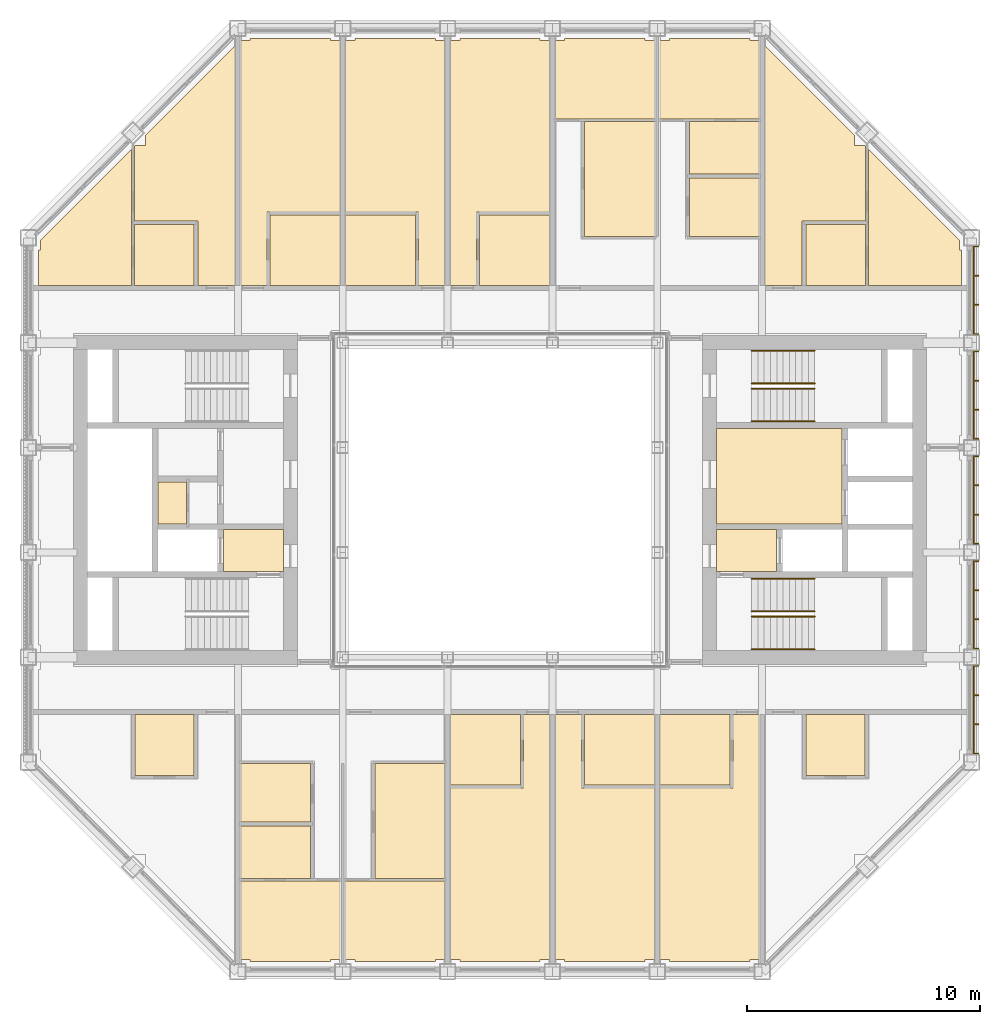
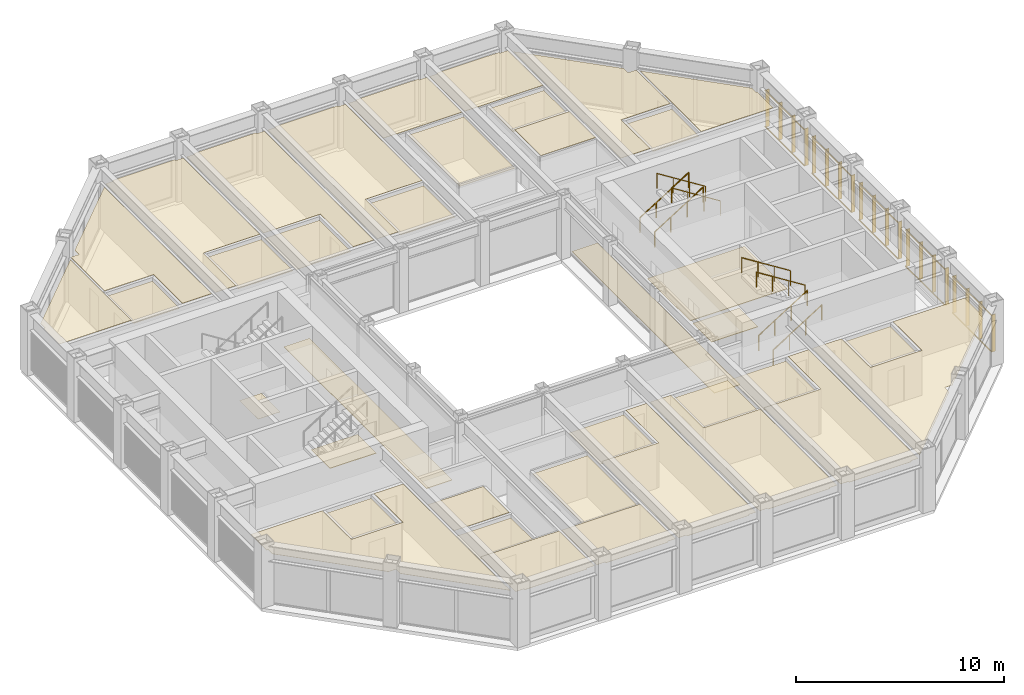
# One storey, part 17 of 18: 8 railings, 4 coverings, 1 shading device.
"""IFC4 building model written with IfcOpenShell, lengths in metres."""

from ifc_helpers import new_model, si_unit, direction, frame, origin, origin_2d, place, context, subcontext, project, spatial, line, indexed_curve, rectangle, circle, outline, extrude, material, layer, layer_set, type_object, element, save


model = new_model("IFC4")

# Units and contexts
model_context = context("Model", 3, precision=1e-05, world=origin(), true_north=direction((0.0, 1.0)))
body_context = subcontext(model_context, "Body", "Model", "MODEL_VIEW")
ifc_project = project(units=[si_unit("LENGTHUNIT", "METRE"), si_unit("AREAUNIT", "SQUARE_METRE"), si_unit("VOLUMEUNIT", "CUBIC_METRE"), si_unit("PLANEANGLEUNIT", "RADIAN"), si_unit("MASSUNIT", "GRAM", prefix="KILO")], contexts=[model_context])

# Site, building, storey
site_placement = place(None, origin())
site = spatial("IfcSite", under=ifc_project, at=site_placement, CompositionType="ELEMENT")
building_placement = place(site_placement, origin())
building = spatial("IfcBuilding", under=site, at=building_placement, Name="Msasa Ring Tower", CompositionType="ELEMENT")
storey_placement = place(building_placement, frame((0.0, 0.0, 223.300048828125)))
storey = spatial("IfcBuildingStorey", under=building, at=storey_placement, Name="L58", CompositionType="ELEMENT", Elevation=223.300048828125)

# Shading device
ifc_material_1 = material(Name="Extruded terracotta on aluminium carriers", Category="masonry")
shading_device_type = type_object("IfcShadingDeviceType", Name="BS2 TERRACOTTA FIN SCREEN 40x200 AT 1350", PredefinedType="USERDEFINED", material=ifc_material_1)
shading_device_placement = place(storey_placement, origin())
element("IfcShadingDevice", 1, at=shading_device_placement, inside=storey, type_object=shading_device_type, Name="Terracotta fin screen E L58", ObjectType="BAGUETTE", PredefinedType="USERDEFINED", context=body_context, shape_type="SweptSolid", body=[
    extrude(rectangle(XDim=0.06005859375, YDim=0.0400390625, at=origin_2d()), frame((20.330078125, -10.89990234375, 0.329833984375), z_axis=(0.0, 1.0, 0.0), x_axis=(0.0, 0.0, 1.0)), (0.0, 0.0, 1.0), 3.800048828125),
    extrude(rectangle(XDim=0.06005859375, YDim=0.0400390625, at=origin_2d()), frame((20.330078125, -10.89990234375, 2.448974609375), z_axis=(0.0, 1.0, 0.0), x_axis=(0.0, 0.0, 1.0)), (0.0, 0.0, 1.0), 3.800048828125),
    extrude(rectangle(XDim=0.0400390625, YDim=0.199951171875, at=origin_2d()), frame((20.445068359375, -10.8798828125, 0.300048828125), z_axis=(0.0, 0.0, 1.0), x_axis=(0.0, 1.0, 0.0)), (0.0, 0.0, 1.0), 2.178955078125),
    extrude(rectangle(XDim=0.0400390625, YDim=0.199951171875, at=origin_2d()), frame((20.445068359375, -9.626708984375, 0.300048828125), z_axis=(0.0, 0.0, 1.0), x_axis=(0.0, 1.0, 0.0)), (0.0, 0.0, 1.0), 2.178955078125),
    extrude(rectangle(XDim=0.0400390625, YDim=0.199951171875, at=origin_2d()), frame((20.445068359375, -8.373291015625, 0.300048828125), z_axis=(0.0, 0.0, 1.0), x_axis=(0.0, 1.0, 0.0)), (0.0, 0.0, 1.0), 2.178955078125),
    extrude(rectangle(XDim=0.0400390625, YDim=0.199951171875, at=origin_2d()), frame((20.445068359375, -7.1201171875, 0.300048828125), z_axis=(0.0, 0.0, 1.0), x_axis=(0.0, 1.0, 0.0)), (0.0, 0.0, 1.0), 2.178955078125),
    extrude(rectangle(XDim=0.06005859375, YDim=0.0400390625, at=origin_2d()), frame((20.330078125, -6.39990234375, 0.329833984375), z_axis=(0.0, 1.0, 0.0), x_axis=(0.0, 0.0, 1.0)), (0.0, 0.0, 1.0), 3.800048828125),
    extrude(rectangle(XDim=0.06005859375, YDim=0.0400390625, at=origin_2d()), frame((20.330078125, -6.39990234375, 2.448974609375), z_axis=(0.0, 1.0, 0.0), x_axis=(0.0, 0.0, 1.0)), (0.0, 0.0, 1.0), 3.800048828125),
    extrude(rectangle(XDim=0.0400390625, YDim=0.199951171875, at=origin_2d()), frame((20.445068359375, -6.3798828125, 0.300048828125), z_axis=(0.0, 0.0, 1.0), x_axis=(0.0, 1.0, 0.0)), (0.0, 0.0, 1.0), 2.178955078125),
    extrude(rectangle(XDim=0.0400390625, YDim=0.199951171875, at=origin_2d()), frame((20.445068359375, -5.126708984375, 0.300048828125), z_axis=(0.0, 0.0, 1.0), x_axis=(0.0, 1.0, 0.0)), (0.0, 0.0, 1.0), 2.178955078125),
    extrude(rectangle(XDim=0.0400390625, YDim=0.199951171875, at=origin_2d()), frame((20.445068359375, -3.873291015625, 0.300048828125), z_axis=(0.0, 0.0, 1.0), x_axis=(0.0, 1.0, 0.0)), (0.0, 0.0, 1.0), 2.178955078125),
    extrude(rectangle(XDim=0.0400390625, YDim=0.199951171875, at=origin_2d()), frame((20.445068359375, -2.6201171875, 0.300048828125), z_axis=(0.0, 0.0, 1.0), x_axis=(0.0, 1.0, 0.0)), (0.0, 0.0, 1.0), 2.178955078125),
    extrude(rectangle(XDim=0.06005859375, YDim=0.0400390625, at=origin_2d()), frame((20.330078125, -1.89990234375, 0.329833984375), z_axis=(0.0, 1.0, 0.0), x_axis=(0.0, 0.0, 1.0)), (0.0, 0.0, 1.0), 3.800048828125),
    extrude(rectangle(XDim=0.06005859375, YDim=0.0400390625, at=origin_2d()), frame((20.330078125, -1.89990234375, 2.448974609375), z_axis=(0.0, 1.0, 0.0), x_axis=(0.0, 0.0, 1.0)), (0.0, 0.0, 1.0), 3.800048828125),
    extrude(rectangle(XDim=0.0400390625, YDim=0.199951171875, at=origin_2d()), frame((20.445068359375, -1.8798828125, 0.300048828125), z_axis=(0.0, 0.0, 1.0), x_axis=(0.0, 1.0, 0.0)), (0.0, 0.0, 1.0), 2.178955078125),
    extrude(rectangle(XDim=0.0400390625, YDim=0.199951171875, at=origin_2d()), frame((20.445068359375, -0.626708984375, 0.300048828125), z_axis=(0.0, 0.0, 1.0), x_axis=(0.0, 1.0, 0.0)), (0.0, 0.0, 1.0), 2.178955078125),
    extrude(rectangle(XDim=0.0400390625, YDim=0.199951171875, at=origin_2d()), frame((20.445068359375, 0.626708984375, 0.300048828125), z_axis=(0.0, 0.0, 1.0), x_axis=(0.0, 1.0, 0.0)), (0.0, 0.0, 1.0), 2.178955078125),
    extrude(rectangle(XDim=0.0400390625, YDim=0.199951171875, at=origin_2d()), frame((20.445068359375, 1.8798828125, 0.300048828125), z_axis=(0.0, 0.0, 1.0), x_axis=(0.0, 1.0, 0.0)), (0.0, 0.0, 1.0), 2.178955078125),
    extrude(rectangle(XDim=0.06005859375, YDim=0.0400390625, at=origin_2d()), frame((20.330078125, 2.60009765625, 0.329833984375), z_axis=(0.0, 1.0, 0.0), x_axis=(0.0, 0.0, 1.0)), (0.0, 0.0, 1.0), 3.800048828125),
    extrude(rectangle(XDim=0.06005859375, YDim=0.0400390625, at=origin_2d()), frame((20.330078125, 2.60009765625, 2.448974609375), z_axis=(0.0, 1.0, 0.0), x_axis=(0.0, 0.0, 1.0)), (0.0, 0.0, 1.0), 3.800048828125),
    extrude(rectangle(XDim=0.0400390625, YDim=0.199951171875, at=origin_2d()), frame((20.445068359375, 2.6201171875, 0.300048828125), z_axis=(0.0, 0.0, 1.0), x_axis=(0.0, 1.0, 0.0)), (0.0, 0.0, 1.0), 2.178955078125),
    extrude(rectangle(XDim=0.0400390625, YDim=0.199951171875, at=origin_2d()), frame((20.445068359375, 3.873291015625, 0.300048828125), z_axis=(0.0, 0.0, 1.0), x_axis=(0.0, 1.0, 0.0)), (0.0, 0.0, 1.0), 2.178955078125),
    extrude(rectangle(XDim=0.0400390625, YDim=0.199951171875, at=origin_2d()), frame((20.445068359375, 5.126708984375, 0.300048828125), z_axis=(0.0, 0.0, 1.0), x_axis=(0.0, 1.0, 0.0)), (0.0, 0.0, 1.0), 2.178955078125),
    extrude(rectangle(XDim=0.0400390625, YDim=0.199951171875, at=origin_2d()), frame((20.445068359375, 6.3798828125, 0.300048828125), z_axis=(0.0, 0.0, 1.0), x_axis=(0.0, 1.0, 0.0)), (0.0, 0.0, 1.0), 2.178955078125),
    extrude(rectangle(XDim=0.06005859375, YDim=0.0400390625, at=origin_2d()), frame((20.330078125, 7.10009765625, 0.329833984375), z_axis=(0.0, 1.0, 0.0), x_axis=(0.0, 0.0, 1.0)), (0.0, 0.0, 1.0), 3.800048828125),
    extrude(rectangle(XDim=0.06005859375, YDim=0.0400390625, at=origin_2d()), frame((20.330078125, 7.10009765625, 2.448974609375), z_axis=(0.0, 1.0, 0.0), x_axis=(0.0, 0.0, 1.0)), (0.0, 0.0, 1.0), 3.800048828125),
    extrude(rectangle(XDim=0.0400390625, YDim=0.199951171875, at=origin_2d()), frame((20.445068359375, 7.1201171875, 0.300048828125), z_axis=(0.0, 0.0, 1.0), x_axis=(0.0, 1.0, 0.0)), (0.0, 0.0, 1.0), 2.178955078125),
    extrude(rectangle(XDim=0.0400390625, YDim=0.199951171875, at=origin_2d()), frame((20.445068359375, 8.373291015625, 0.300048828125), z_axis=(0.0, 0.0, 1.0), x_axis=(0.0, 1.0, 0.0)), (0.0, 0.0, 1.0), 2.178955078125),
    extrude(rectangle(XDim=0.0400390625, YDim=0.199951171875, at=origin_2d()), frame((20.445068359375, 9.626708984375, 0.300048828125), z_axis=(0.0, 0.0, 1.0), x_axis=(0.0, 1.0, 0.0)), (0.0, 0.0, 1.0), 2.178955078125),
    extrude(rectangle(XDim=0.0400390625, YDim=0.199951171875, at=origin_2d()), frame((20.445068359375, 10.8798828125, 0.300048828125), z_axis=(0.0, 0.0, 1.0), x_axis=(0.0, 1.0, 0.0)), (0.0, 0.0, 1.0), 2.178955078125),
])

# Coverings
ifc_material_2 = material(Name="Gypsum plasterboard on a steel suspension grid", Category="steel")
ifc_layer_1 = layer(ifc_material_2, 0.014892578125)
ifc_layer_set_1 = layer_set([ifc_layer_1], Name="C1 SUSPENDED PLASTERBOARD CEILING 15")
covering_type_1 = type_object("IfcCoveringType", Name="C1 SUSPENDED PLASTERBOARD CEILING 15", PredefinedType="CEILING", material=ifc_layer_set_1)
covering_1_placement = place(storey_placement, frame((0.0, 0.0, 2.634033203125)))
element("IfcCovering", 2, at=covering_1_placement, inside=storey, type_object=covering_type_1, Name="Suspended Plasterboard Ceiling 15 L58", PredefinedType="CEILING", context=body_context, shape_type="SweptSolid", body=[
    extrude(outline(indexed_curve([(-12.969482421875, -11.98046875), (-12.969482421875, -9.200439453125), (-11.3505859375, -9.200439453125), (-11.3505859375, -19.512451171875), (-15.224609375, -15.638427734375), (-15.224609375, -15.224609375), (-15.638427734375, -15.224609375), (-19.724609375, -11.138427734375), (-19.724609375, -10.724609375), (-19.799560546875, -10.724609375), (-19.799560546875, -9.200439453125), (-15.83056640625, -9.200439453125), (-15.83056640625, -11.98046875)], segments=[line(1, 2, 3, 4, 5, 6, 7, 8, 9, 10, 11, 12, 13, 1)], self_intersect=False)), origin(), (0.0, 0.0, 1.0), 0.014892578125),
    extrude(outline(indexed_curve([(-19.799560546875, 9.200439453125), (-19.799560546875, 10.724609375), (-19.724609375, 10.724609375), (-19.724609375, 11.138427734375), (-15.810546875, 15.052490234375), (-15.810546875, 9.200439453125)], segments=[line(1, 2, 3, 4, 5, 6, 1)], self_intersect=False)), origin(), (0.0, 0.0, 1.0), 0.014892578125),
    extrude(outline(indexed_curve([(-15.638427734375, 15.224609375), (-15.224609375, 15.224609375), (-15.224609375, 15.638427734375), (-11.3505859375, 19.512451171875), (-11.3505859375, 9.200439453125), (-12.969482421875, 9.200439453125), (-12.969482421875, 11.98046875), (-15.689453125, 11.98046875), (-15.689453125, 15.17333984375)], segments=[line(1, 2, 3, 4, 5, 6, 7, 8, 9, 1)], self_intersect=False)), origin(), (0.0, 0.0, 1.0), 0.014892578125),
    extrude(outline(indexed_curve([(-14.674560546875, 0.7744140625), (-13.45556640625, 0.7744140625), (-13.45556640625, -1.0244140625), (-14.674560546875, -1.0244140625)], segments=[line(1, 2, 3, 4, 1)], self_intersect=False)), origin(), (0.0, 0.0, 1.0), 0.014892578125),
    extrude(outline(indexed_curve([(-11.189453125, -16.35546875), (-6.810546875, -16.35546875), (-6.810546875, -19.724609375), (-7.275390625, -19.724609375), (-7.275390625, -19.799560546875), (-10.724609375, -19.799560546875), (-10.724609375, -19.724609375), (-11.138427734375, -19.724609375), (-11.189453125, -19.67333984375)], segments=[line(1, 2, 3, 4, 5, 6, 7, 8, 9, 1)], self_intersect=False)), origin(), (0.0, 0.0, 1.0), 0.014892578125),
    extrude(outline(indexed_curve([(-11.189453125, -11.305419921875), (-8.130615234375, -11.305419921875), (-8.130615234375, -13.819580078125), (-11.189453125, -13.819580078125)], segments=[line(1, 2, 3, 4, 1)], self_intersect=False)), origin(), (0.0, 0.0, 1.0), 0.014892578125),
    extrude(outline(indexed_curve([(-11.1494140625, 9.200439453125), (-11.1494140625, 19.71337890625), (-11.138427734375, 19.724609375), (-10.724609375, 19.724609375), (-10.724609375, 19.799560546875), (-7.275390625, 19.799560546875), (-7.275390625, 19.724609375), (-6.8505859375, 19.724609375), (-6.8505859375, 12.3505859375), (-10.00048828125, 12.3505859375), (-10.00048828125, 9.200439453125)], segments=[line(1, 2, 3, 4, 5, 6, 7, 8, 9, 10, 11, 1)], self_intersect=False)), origin(), (0.0, 0.0, 1.0), 0.014892578125),
    extrude(outline(indexed_curve([(-2.310546875, -16.35546875), (-2.310546875, -19.724609375), (-2.775390625, -19.724609375), (-2.775390625, -19.799560546875), (-6.224609375, -19.799560546875), (-6.224609375, -19.724609375), (-6.689453125, -19.724609375), (-6.689453125, -16.35546875)], segments=[line(1, 2, 3, 4, 5, 6, 7, 8, 1)], self_intersect=False)), origin(), (0.0, 0.0, 1.0), 0.014892578125),
    extrude(outline(indexed_curve([(-2.3505859375, 9.200439453125), (-3.49951171875, 9.200439453125), (-3.49951171875, 12.3505859375), (-6.6494140625, 12.3505859375), (-6.6494140625, 19.724609375), (-6.224609375, 19.724609375), (-6.224609375, 19.799560546875), (-2.775390625, 19.799560546875), (-2.775390625, 19.724609375), (-2.3505859375, 19.724609375)], segments=[line(1, 2, 3, 4, 5, 6, 7, 8, 9, 10, 1)], self_intersect=False)), origin(), (0.0, 0.0, 1.0), 0.014892578125),
    extrude(outline(indexed_curve([(2.1494140625, -9.200439453125), (2.1494140625, -19.724609375), (1.724609375, -19.724609375), (1.724609375, -19.799560546875), (-1.724609375, -19.799560546875), (-1.724609375, -19.724609375), (-2.1494140625, -19.724609375), (-2.1494140625, -12.3505859375), (1.00048828125, -12.3505859375), (1.00048828125, -9.200439453125)], segments=[line(1, 2, 3, 4, 5, 6, 7, 8, 9, 10, 1)], self_intersect=False)), origin(), (0.0, 0.0, 1.0), 0.014892578125),
    extrude(outline(indexed_curve([(-2.1494140625, 9.200439453125), (-2.1494140625, 19.724609375), (-1.724609375, 19.724609375), (-1.724609375, 19.799560546875), (1.724609375, 19.799560546875), (1.724609375, 19.724609375), (2.1494140625, 19.724609375), (2.1494140625, 12.3505859375), (-1.00048828125, 12.3505859375), (-1.00048828125, 9.200439453125)], segments=[line(1, 2, 3, 4, 5, 6, 7, 8, 9, 10, 1)], self_intersect=False)), origin(), (0.0, 0.0, 1.0), 0.014892578125),
    extrude(outline(indexed_curve([(2.310546875, 19.724609375), (2.775390625, 19.724609375), (2.775390625, 19.799560546875), (6.224609375, 19.799560546875), (6.224609375, 19.724609375), (6.689453125, 19.724609375), (6.689453125, 16.35546875), (2.310546875, 16.35546875)], segments=[line(1, 2, 3, 4, 5, 6, 7, 8, 1)], self_intersect=False)), origin(), (0.0, 0.0, 1.0), 0.014892578125),
    extrude(outline(indexed_curve([(2.775390625, -19.799560546875), (2.775390625, -19.724609375), (2.3505859375, -19.724609375), (2.3505859375, -9.200439453125), (3.49951171875, -9.200439453125), (3.49951171875, -12.3505859375), (6.6494140625, -12.3505859375), (6.6494140625, -19.724609375), (6.224609375, -19.724609375), (6.224609375, -19.799560546875)], segments=[line(1, 2, 3, 4, 5, 6, 7, 8, 9, 10, 1)], self_intersect=False)), origin(), (0.0, 0.0, 1.0), 0.014892578125),
    extrude(outline(indexed_curve([(6.810546875, 16.35546875), (6.810546875, 19.724609375), (7.275390625, 19.724609375), (7.275390625, 19.799560546875), (10.724609375, 19.799560546875), (10.724609375, 19.724609375), (11.138427734375, 19.724609375), (11.189453125, 19.67333984375), (11.189453125, 16.35546875)], segments=[line(1, 2, 3, 4, 5, 6, 7, 8, 9, 1)], self_intersect=False)), origin(), (0.0, 0.0, 1.0), 0.014892578125),
    extrude(outline(indexed_curve([(11.1494140625, -9.200439453125), (11.1494140625, -19.71337890625), (11.138427734375, -19.724609375), (10.724609375, -19.724609375), (10.724609375, -19.799560546875), (7.275390625, -19.799560546875), (7.275390625, -19.724609375), (6.8505859375, -19.724609375), (6.8505859375, -12.3505859375), (10.00048828125, -12.3505859375), (10.00048828125, -9.200439453125)], segments=[line(1, 2, 3, 4, 5, 6, 7, 8, 9, 10, 11, 1)], self_intersect=False)), origin(), (0.0, 0.0, 1.0), 0.014892578125),
    extrude(outline(indexed_curve([(8.130615234375, 13.819580078125), (11.189453125, 13.819580078125), (11.189453125, 11.305419921875), (8.130615234375, 11.305419921875)], segments=[line(1, 2, 3, 4, 1)], self_intersect=False)), origin(), (0.0, 0.0, 1.0), 0.014892578125),
    extrude(outline(indexed_curve([(19.799560546875, -10.724609375), (19.724609375, -10.724609375), (19.724609375, -11.138427734375), (15.638427734375, -15.224609375), (15.224609375, -15.224609375), (15.224609375, -15.638427734375), (11.3505859375, -19.512451171875), (11.3505859375, -9.200439453125), (12.969482421875, -9.200439453125), (12.969482421875, -11.98046875), (15.83056640625, -11.98046875), (15.83056640625, -9.200439453125), (19.799560546875, -9.200439453125)], segments=[line(1, 2, 3, 4, 5, 6, 7, 8, 9, 10, 11, 12, 13, 1)], self_intersect=False)), origin(), (0.0, 0.0, 1.0), 0.014892578125),
    extrude(outline(indexed_curve([(11.3505859375, 9.200439453125), (11.3505859375, 19.512451171875), (15.224609375, 15.638427734375), (15.224609375, 15.224609375), (15.638427734375, 15.224609375), (15.689453125, 15.17333984375), (15.689453125, 11.98046875), (12.969482421875, 11.98046875), (12.969482421875, 9.200439453125)], segments=[line(1, 2, 3, 4, 5, 6, 7, 8, 9, 1)], self_intersect=False)), origin(), (0.0, 0.0, 1.0), 0.014892578125),
    extrude(outline(indexed_curve([(15.810546875, 15.052490234375), (19.724609375, 11.138427734375), (19.724609375, 10.724609375), (19.799560546875, 10.724609375), (19.799560546875, 9.200439453125), (15.810546875, 9.200439453125)], segments=[line(1, 2, 3, 4, 5, 6, 1)], self_intersect=False)), origin(), (0.0, 0.0, 1.0), 0.014892578125),
])
ifc_material_3 = material(Name="Moisture-resistant gypsum plasterboard on a steel suspension grid", Category="steel")
ifc_layer_2 = layer(ifc_material_3, 0.014892578125)
ifc_layer_set_2 = layer_set([ifc_layer_2], Name="C2 MOISTURE-RESISTANT PLASTERBOARD CEILING 15")
covering_type_2 = type_object("IfcCoveringType", Name="C2 MOISTURE-RESISTANT PLASTERBOARD CEILING 15", PredefinedType="CEILING", material=ifc_layer_set_2)
covering_2_placement = place(storey_placement, frame((0.0, 0.0, 2.39990234375)))
element("IfcCovering", 3, at=covering_2_placement, inside=storey, type_object=covering_type_2, Name="Moisture-Resistant Plasterboard Ceiling 15 L58", PredefinedType="CEILING", context=body_context, shape_type="SweptSolid", body=[
    extrude(outline(indexed_curve([(-15.689453125, 9.200439453125), (-15.689453125, 11.819580078125), (-13.130615234375, 11.819580078125), (-13.130615234375, 9.200439453125)], segments=[line(1, 2, 3, 4, 1)], self_intersect=False)), origin(), (0.0, 0.0, 1.0), 0.01513671875),
    extrude(outline(indexed_curve([(-15.66943359375, -9.200439453125), (-13.130615234375, -9.200439453125), (-13.130615234375, -11.819580078125), (-15.66943359375, -11.819580078125)], segments=[line(1, 2, 3, 4, 1)], self_intersect=False)), origin(), (0.0, 0.0, 1.0), 0.01513671875),
    extrude(outline(indexed_curve([(-11.1494140625, -16.244384765625), (-11.1494140625, -13.98046875), (-8.130615234375, -13.98046875), (-8.130615234375, -16.244384765625)], segments=[line(1, 2, 3, 4, 1)], self_intersect=False)), origin(), (0.0, 0.0, 1.0), 0.01513671875),
    extrude(outline(indexed_curve([(-9.87451171875, 9.200439453125), (-9.87451171875, 12.224609375), (-6.8505859375, 12.224609375), (-6.8505859375, 9.200439453125)], segments=[line(1, 2, 3, 4, 1)], self_intersect=False)), origin(), (0.0, 0.0, 1.0), 0.01513671875),
    extrude(outline(indexed_curve([(-6.6494140625, 9.200439453125), (-6.6494140625, 12.224609375), (-3.62548828125, 12.224609375), (-3.62548828125, 9.200439453125)], segments=[line(1, 2, 3, 4, 1)], self_intersect=False)), origin(), (0.0, 0.0, 1.0), 0.01513671875),
    extrude(outline(indexed_curve([(-2.1494140625, -9.200439453125), (0.87451171875, -9.200439453125), (0.87451171875, -12.224609375), (-2.1494140625, -12.224609375)], segments=[line(1, 2, 3, 4, 1)], self_intersect=False)), origin(), (0.0, 0.0, 1.0), 0.01513671875),
    extrude(outline(indexed_curve([(2.1494140625, 9.200439453125), (-0.87451171875, 9.200439453125), (-0.87451171875, 12.224609375), (2.1494140625, 12.224609375)], segments=[line(1, 2, 3, 4, 1)], self_intersect=False)), origin(), (0.0, 0.0, 1.0), 0.01513671875),
    extrude(outline(indexed_curve([(6.6494140625, -9.200439453125), (6.6494140625, -12.224609375), (3.62548828125, -12.224609375), (3.62548828125, -9.200439453125)], segments=[line(1, 2, 3, 4, 1)], self_intersect=False)), origin(), (0.0, 0.0, 1.0), 0.01513671875),
    extrude(outline(indexed_curve([(9.87451171875, -9.200439453125), (9.87451171875, -12.224609375), (6.8505859375, -12.224609375), (6.8505859375, -9.200439453125)], segments=[line(1, 2, 3, 4, 1)], self_intersect=False)), origin(), (0.0, 0.0, 1.0), 0.01513671875),
    extrude(outline(indexed_curve([(8.130615234375, 16.244384765625), (11.1494140625, 16.244384765625), (11.1494140625, 13.98046875), (8.130615234375, 13.98046875)], segments=[line(1, 2, 3, 4, 1)], self_intersect=False)), origin(), (0.0, 0.0, 1.0), 0.01513671875),
    extrude(outline(indexed_curve([(13.130615234375, -9.200439453125), (15.66943359375, -9.200439453125), (15.66943359375, -11.819580078125), (13.130615234375, -11.819580078125)], segments=[line(1, 2, 3, 4, 1)], self_intersect=False)), origin(), (0.0, 0.0, 1.0), 0.01513671875),
    extrude(outline(indexed_curve([(13.130615234375, 9.200439453125), (13.130615234375, 11.819580078125), (15.689453125, 11.819580078125), (15.689453125, 9.200439453125)], segments=[line(1, 2, 3, 4, 1)], self_intersect=False)), origin(), (0.0, 0.0, 1.0), 0.01513671875),
])
ifc_material_4 = material(Name="Perforated aluminium ceiling pans on a steel grid", Category="steel")
ifc_layer_3 = layer(ifc_material_4, 0.02490234375)
ifc_layer_set_3 = layer_set([ifc_layer_3], Name="C4 PERFORATED METAL PAN CEILING 25")
covering_type_3 = type_object("IfcCoveringType", Name="C4 PERFORATED METAL PAN CEILING 25", PredefinedType="CEILING", material=ifc_layer_set_3)
covering_3_placement = place(storey_placement, frame((0.0, 0.0, 2.39990234375)))
element("IfcCovering", 4, at=covering_3_placement, inside=storey, type_object=covering_type_3, Name="Perforated Metal Pan Ceiling 25 L58", PredefinedType="CEILING", context=body_context, shape_type="SweptSolid", body=[
    extrude(outline(indexed_curve([(-2.3505859375, -11.305419921875), (-2.3505859375, -16.244384765625), (-5.369384765625, -16.244384765625), (-5.369384765625, -11.305419921875)], segments=[line(1, 2, 3, 4, 1)], self_intersect=False)), origin(), (0.0, 0.0, 1.0), 0.025146484375),
    extrude(outline(indexed_curve([(6.689453125, 16.244384765625), (6.689453125, 11.305419921875), (3.630615234375, 11.305419921875), (3.630615234375, 16.244384765625)], segments=[line(1, 2, 3, 4, 1)], self_intersect=False)), origin(), (0.0, 0.0, 1.0), 0.025146484375),
])
ifc_material_5 = material(Name="Honed granite tiles on a mortar bed", Category="masonry")
ifc_layer_4 = layer(ifc_material_5, 0.030029296875)
ifc_layer_set_4 = layer_set([ifc_layer_4], Name="F1 HONED GRANITE ON BEDDING 30")
covering_type_4 = type_object("IfcCoveringType", Name="F1 HONED GRANITE ON BEDDING 30", PredefinedType="FLOORING", material=ifc_layer_set_4)
covering_4_placement = place(storey_placement, origin())
element("IfcCovering", 5, at=covering_4_placement, inside=storey, type_object=covering_type_4, Name="Honed Granite On Bedding 30 L58", PredefinedType="FLOORING", context=body_context, shape_type="SweptSolid", body=[
    extrude(outline(indexed_curve([(-11.87451171875, -3.074462890625), (-11.87451171875, -1.275390625), (-9.300537109375, -1.275390625), (-9.300537109375, -3.074462890625)], segments=[line(1, 2, 3, 4, 1)], self_intersect=False)), origin(), (0.0, 0.0, 1.0), 0.030029296875),
    extrude(outline(indexed_curve([(-8.699462890625, -6.849609375), (-8.699462890625, 6.849609375), (-7.280029296875, 6.849609375), (-7.280029296875, -6.849609375)], segments=[line(1, 2, 3, 4, 1)], self_intersect=False)), origin(), (0.0, 0.0, 1.0), 0.030029296875),
    extrude(outline(indexed_curve([(8.699462890625, 6.849609375), (8.699462890625, -6.849609375), (7.280029296875, -6.849609375), (7.280029296875, 6.849609375)], segments=[line(1, 2, 3, 4, 1)], self_intersect=False)), origin(), (0.0, 0.0, 1.0), 0.030029296875),
    extrude(outline(indexed_curve([(9.300537109375, -3.074462890625), (9.300537109375, -1.275390625), (11.87451171875, -1.275390625), (11.87451171875, -3.074462890625)], segments=[line(1, 2, 3, 4, 1)], self_intersect=False)), origin(), (0.0, 0.0, 1.0), 0.030029296875),
    extrude(outline(indexed_curve([(9.300537109375, 3.074462890625), (14.674560546875, 3.074462890625), (14.674560546875, -1.0244140625), (9.300537109375, -1.0244140625)], segments=[line(1, 2, 3, 4, 1)], self_intersect=False)), origin(), (0.0, 0.0, 1.0), 0.030029296875),
])

# Railings
ifc_material_6 = material(Name="Stainless steel", Category="steel")
railing_type = type_object("IfcRailingType", Name="HR1 HANDRAIL 900", PredefinedType="HANDRAIL", material=ifc_material_6)
for number, where, name in (
    (6, (10.800048828125, -6.39990234375, 0.17041015625), "Handrail stair SEA L58 1"),
    (7, (10.800048828125, -5.0, 0.17041015625), "Handrail stair SEA L58 2"),
):
    element("IfcRailing", number, at=place(storey_placement, frame(where)), inside=storey, type_object=railing_type, Name=name, PredefinedType="HANDRAIL", context=body_context, shape_type="SweptSolid", body=[
        extrude(circle(Radius=0.02392578125, at=origin_2d()), frame((0.0, 0.0, 0.8759765625), z_axis=(0.845579735284, 0.0, 0.533849146555), x_axis=(0.0, 1.0, 0.0)), (0.0, 0.0, 1.0), 3.193115234375),
        extrude(circle(Radius=0.02099609375, at=origin_2d()), origin(), (0.0, 0.0, 1.0), 0.851806640625),
        extrude(circle(Radius=0.02099609375, at=origin_2d()), frame((0.89990234375, 0.0, 0.568115234375)), (0.0, 0.0, 1.0), 0.851806640625),
        extrude(circle(Radius=0.02099609375, at=origin_2d()), frame((1.800048828125, 0.0, 1.136474609375)), (0.0, 0.0, 1.0), 0.851806640625),
        extrude(circle(Radius=0.02099609375, at=origin_2d()), frame((2.699951171875, 0.0, 1.70458984375)), (0.0, 0.0, 1.0), 0.851806640625),
    ])
for number, where, name in (
    (8, (13.5, -4.77490234375, 2.04541015625), "Handrail stair SEA L58 3"),
    (9, (13.5, -3.375, 2.04541015625), "Handrail stair SEA L58 4"),
):
    element("IfcRailing", number, at=place(storey_placement, frame(where)), inside=storey, type_object=railing_type, Name=name, PredefinedType="HANDRAIL", context=body_context, shape_type="SweptSolid", body=[
        extrude(circle(Radius=0.02392578125, at=origin_2d()), frame((0.0, 0.0, 0.8759765625), z_axis=(-0.845579735284, 0.0, 0.533849146555), x_axis=(0.0, -1.0, 0.0)), (0.0, 0.0, 1.0), 3.193115234375),
        extrude(circle(Radius=0.02099609375, at=origin_2d()), origin(), (0.0, 0.0, 1.0), 0.851806640625),
        extrude(circle(Radius=0.02099609375, at=origin_2d()), frame((-0.89990234375, 0.0, 0.568115234375)), (0.0, 0.0, 1.0), 0.851806640625),
        extrude(circle(Radius=0.02099609375, at=origin_2d()), frame((-1.800048828125, 0.0, 1.136474609375)), (0.0, 0.0, 1.0), 0.851806640625),
        extrude(circle(Radius=0.02099609375, at=origin_2d()), frame((-2.699951171875, 0.0, 1.70458984375)), (0.0, 0.0, 1.0), 0.851806640625),
    ])
for number, where, name in (
    (10, (10.800048828125, 5.0, 0.17041015625), "Handrail stair SEB L58 1"),
    (11, (10.800048828125, 6.39990234375, 0.17041015625), "Handrail stair SEB L58 2"),
):
    element("IfcRailing", number, at=place(storey_placement, frame(where)), inside=storey, type_object=railing_type, Name=name, PredefinedType="HANDRAIL", context=body_context, shape_type="SweptSolid", body=[
        extrude(circle(Radius=0.02392578125, at=origin_2d()), frame((0.0, 0.0, 0.8759765625), z_axis=(0.845579735284, 0.0, 0.533849146555), x_axis=(0.0, 1.0, 0.0)), (0.0, 0.0, 1.0), 3.193115234375),
        extrude(circle(Radius=0.02099609375, at=origin_2d()), origin(), (0.0, 0.0, 1.0), 0.851806640625),
        extrude(circle(Radius=0.02099609375, at=origin_2d()), frame((0.89990234375, 0.0, 0.568115234375)), (0.0, 0.0, 1.0), 0.851806640625),
        extrude(circle(Radius=0.02099609375, at=origin_2d()), frame((1.800048828125, 0.0, 1.136474609375)), (0.0, 0.0, 1.0), 0.851806640625),
        extrude(circle(Radius=0.02099609375, at=origin_2d()), frame((2.699951171875, 0.0, 1.70458984375)), (0.0, 0.0, 1.0), 0.851806640625),
    ])
for number, where, name in (
    (12, (13.5, 3.375, 2.04541015625), "Handrail stair SEB L58 3"),
    (13, (13.5, 4.77490234375, 2.04541015625), "Handrail stair SEB L58 4"),
):
    element("IfcRailing", number, at=place(storey_placement, frame(where)), inside=storey, type_object=railing_type, Name=name, PredefinedType="HANDRAIL", context=body_context, shape_type="SweptSolid", body=[
        extrude(circle(Radius=0.02392578125, at=origin_2d()), frame((0.0, 0.0, 0.8759765625), z_axis=(-0.845579735284, 0.0, 0.533849146555), x_axis=(0.0, -1.0, 0.0)), (0.0, 0.0, 1.0), 3.193115234375),
        extrude(circle(Radius=0.02099609375, at=origin_2d()), origin(), (0.0, 0.0, 1.0), 0.851806640625),
        extrude(circle(Radius=0.02099609375, at=origin_2d()), frame((-0.89990234375, 0.0, 0.568115234375)), (0.0, 0.0, 1.0), 0.851806640625),
        extrude(circle(Radius=0.02099609375, at=origin_2d()), frame((-1.800048828125, 0.0, 1.136474609375)), (0.0, 0.0, 1.0), 0.851806640625),
        extrude(circle(Radius=0.02099609375, at=origin_2d()), frame((-2.699951171875, 0.0, 1.70458984375)), (0.0, 0.0, 1.0), 0.851806640625),
    ])

save(model, "model.ifc")
